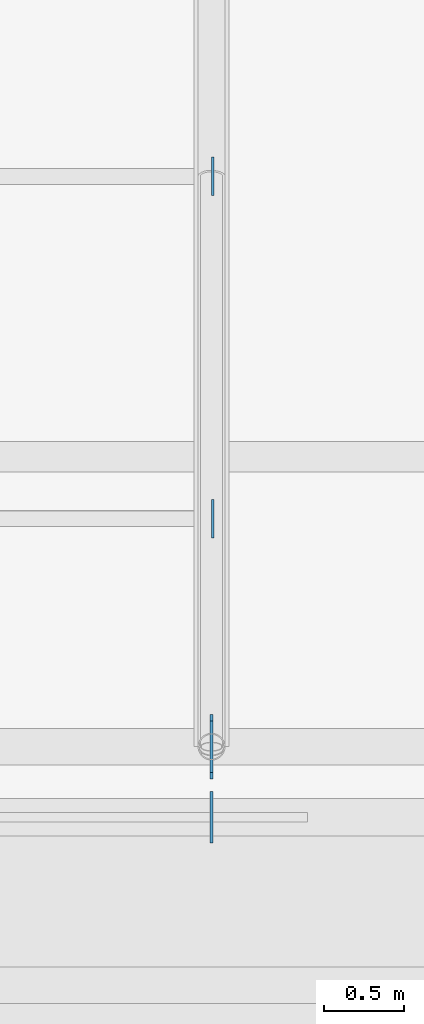
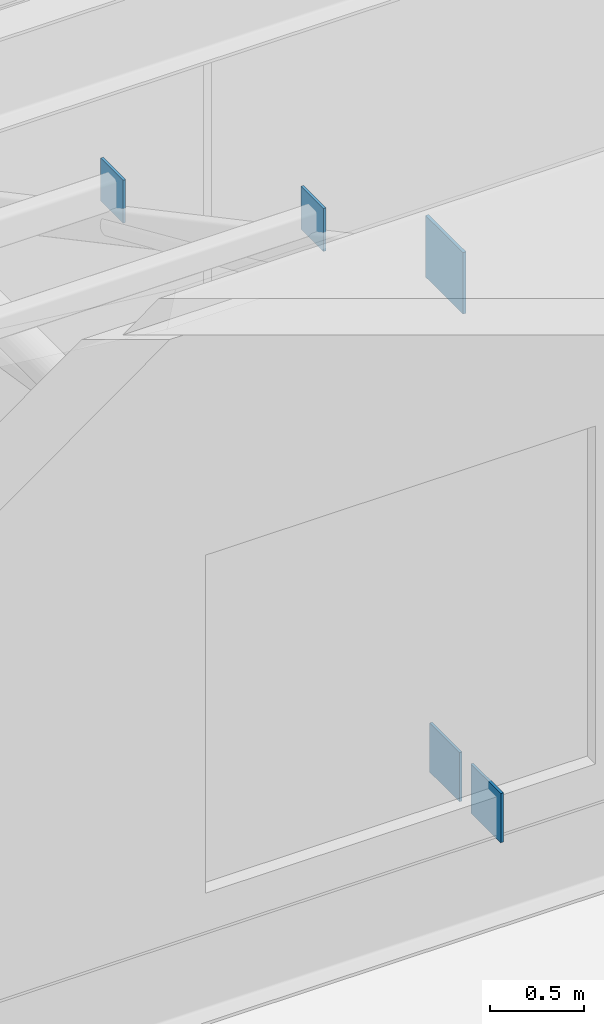
# One storey, part 51 of 66: 5 plates.
"""IFC4 building model written with IfcOpenShell, lengths in metres."""

from ifc_helpers import new_model, si_unit, direction, frame, origin, origin_2d, place, context, subcontext, project, spatial, rectangle, extrude, material, layer, layer_set, type_object, element, save


model = new_model("IFC4")

# Units and contexts
model_context = context("Model", 3, precision=1e-05, world=origin(), true_north=direction((0.0, 1.0)))
body_context = subcontext(model_context, "Body", "Model", "MODEL_VIEW")
ifc_project = project(units=[si_unit("LENGTHUNIT", "METRE"), si_unit("AREAUNIT", "SQUARE_METRE"), si_unit("VOLUMEUNIT", "CUBIC_METRE"), si_unit("PLANEANGLEUNIT", "RADIAN"), si_unit("MASSUNIT", "GRAM", prefix="KILO")], contexts=[model_context])

# Site, building, storey
site_placement = place(None, origin())
site = spatial("IfcSite", under=ifc_project, at=site_placement, CompositionType="ELEMENT")
building_placement = place(site_placement, origin())
building = spatial("IfcBuilding", under=site, at=building_placement, Name="Tameran Prism Museum", CompositionType="ELEMENT")
storey_placement = place(building_placement, frame((0.0, 0.0, 19.800048828125)))
storey = spatial("IfcBuildingStorey", under=building, at=storey_placement, Name="L04", CompositionType="ELEMENT", Elevation=19.800048828125)

# Plates
ifc_material_1 = material(Name="Steel Grade 350 (350 MPa)", Category="steel")
ifc_layer_1 = layer(ifc_material_1, 0.01611328125)
ifc_layer_set_1 = layer_set([ifc_layer_1])
plate_type_1 = type_object("IfcPlateType", Name="PL-CAP-16", PredefinedType="USERDEFINED", material=ifc_layer_set_1)
for number, where, z_axis, x_axis, name in (
    (1, (89.60791015625, 29.864013671875, 11.31591796875), (0.0, 0.0, 1.0), (1.0, 0.0, 0.0), "Purlin End Cap Plate PR-031 E"),
    (2, (89.60791015625, 32.0, 10.2041015625), (0.0, 0.0, 1.0), (1.0, 0.0, 0.0), "Purlin End Cap Plate PR-032 E"),
):
    element("IfcPlate", number, at=place(storey_placement, frame(where, z_axis=z_axis, x_axis=x_axis)), inside=storey, type_object=plate_type_1, Name=name, ObjectType="GUSSET PLATE", PredefinedType="USERDEFINED", context=body_context, shape_type="SweptSolid", body=[
        extrude(rectangle(XDim=0.01611328125, YDim=0.239990234375, at=origin_2d()), origin(), (0.0, 0.0, 1.0), 0.280029296875),
    ])
for number, where, z_axis, x_axis, name in (
    (3, (89.60009765625, 28.43994140625, 8.6259765625), (0.0, 0.0, 1.0), (1.0, 0.0, 0.0), "Truss Node Gusset Plate GP-0145"),
    (4, (89.60009765625, 28.0, 8.6259765625), (0.0, 0.0, 1.0), (1.0, 0.0, 0.0), "Truss Node Gusset Plate GP-0147"),
):
    element("IfcPlate", number, at=place(storey_placement, frame(where, z_axis=z_axis, x_axis=x_axis)), inside=storey, type_object=plate_type_1, Name=name, ObjectType="GUSSET PLATE", PredefinedType="USERDEFINED", context=body_context, shape_type="SweptSolid", body=[
        extrude(rectangle(XDim=0.01611328125, YDim=0.320068359375, at=origin_2d()), origin(), (0.0, 0.0, 1.0), 0.320068359375),
    ])
ifc_material_2 = material(Name="Steel Grade 350 (350 MPa)", Category="steel")
ifc_layer_2 = layer(ifc_material_2, 0.02001953125)
ifc_layer_set_2 = layer_set([ifc_layer_2])
plate_type_2 = type_object("IfcPlateType", Name="PL-GUS-20", PredefinedType="USERDEFINED", material=ifc_layer_set_2)
plate_placement = place(storey_placement, frame((89.60009765625, 28.43994140625, 11.823974609375), z_axis=(0.0, 0.0, 1.0), x_axis=(1.0, 0.0, 0.0)))
element("IfcPlate", 5, at=plate_placement, inside=storey, type_object=plate_type_2, Name="Truss Node Gusset Plate GP-0143", ObjectType="GUSSET PLATE", PredefinedType="USERDEFINED", context=body_context, shape_type="SweptSolid", body=[
    extrude(rectangle(XDim=0.02001953125, YDim=0.39990234375, at=origin_2d()), origin(), (0.0, 0.0, 1.0), 0.39990234375),
])

save(model, "model.ifc")
